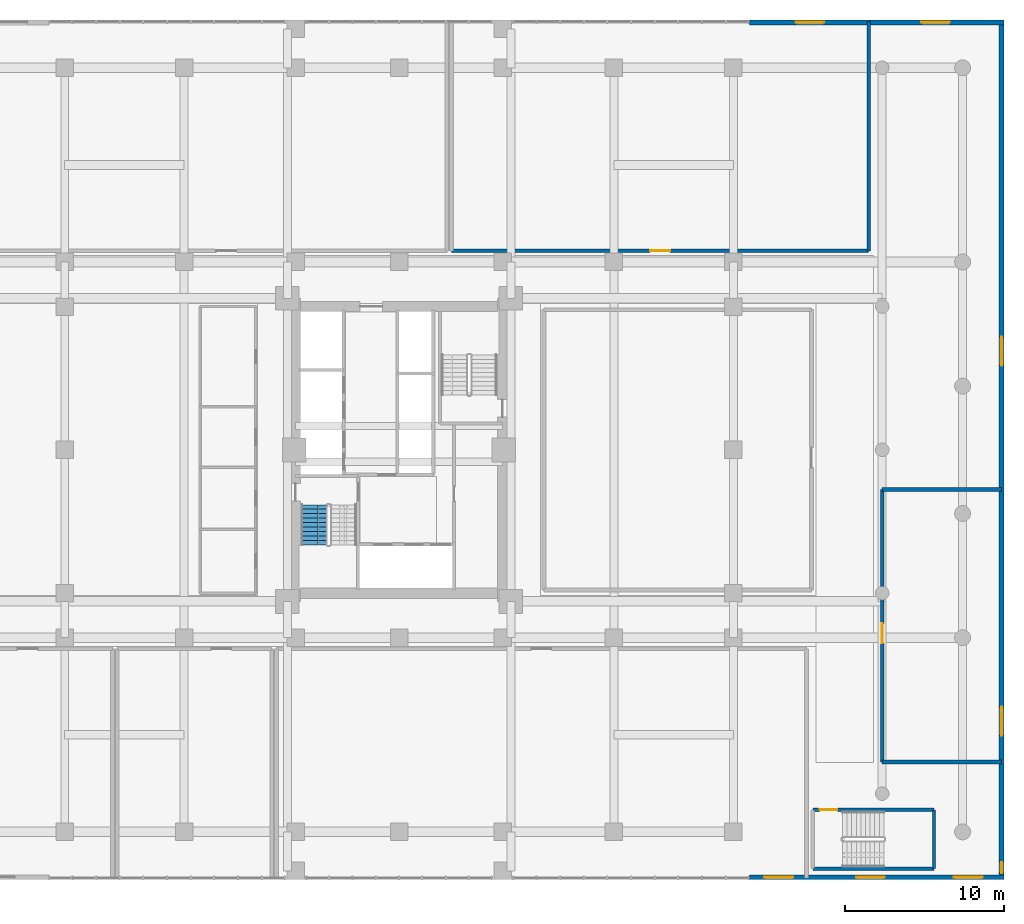
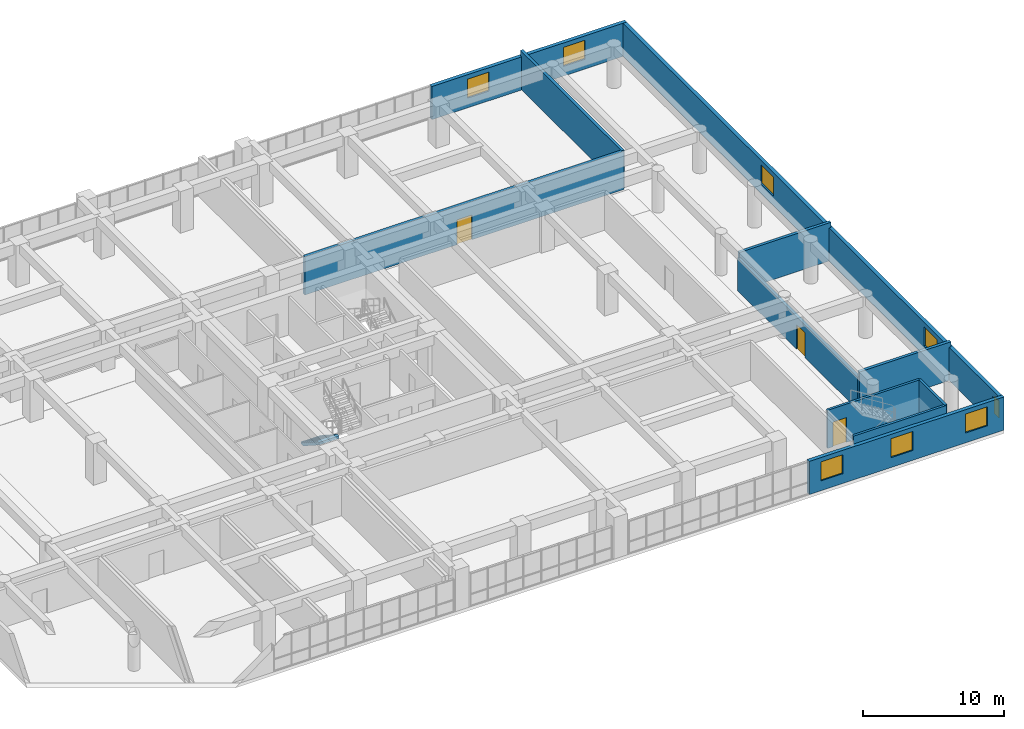
# One storey, part 21 of 30: 11 walls, 8 windows, 3 doors, 1 stair flight, 11 openings, 1 element without a shape of its own.
"""IFC4 building model written with IfcOpenShell, lengths in metres."""

from ifc_helpers import new_model, si_unit, direction, frame, frame_2d, origin, place, context, subcontext, project, spatial, polyline, rectangle, outline, extrude, source, transform, mapped, material, layer, layer_set, type_object, element, fill, aggregate, save


model = new_model("IFC4")

# Units and contexts
model_context = context("Model", 3, precision=1e-05, world=origin(), true_north=direction((0.0, 1.0)))
body_context = subcontext(model_context, "Body", "Model", "MODEL_VIEW")
ifc_project = project(units=[si_unit("LENGTHUNIT", "METRE"), si_unit("AREAUNIT", "SQUARE_METRE"), si_unit("VOLUMEUNIT", "CUBIC_METRE"), si_unit("PLANEANGLEUNIT", "RADIAN"), si_unit("MASSUNIT", "GRAM", prefix="KILO")], contexts=[model_context])

# Site, building, storey
site_placement = place(None, origin())
site = spatial("IfcSite", under=ifc_project, at=site_placement, CompositionType="ELEMENT")
building_placement = place(site_placement, origin())
building = spatial("IfcBuilding", under=site, at=building_placement, Name="Saelheon Loggia Tower", CompositionType="ELEMENT")
storey_placement = place(building_placement, frame((0.0, 0.0, 7.800048828125)))
storey = spatial("IfcBuildingStorey", under=building, at=storey_placement, Name="L02", CompositionType="ELEMENT", Elevation=7.800048828125)

# Wall, opening, door
ifc_material_1 = material(Name="Shielded High-Density Gypsum Partition", Category="gypsum")
ifc_layer_1 = layer(ifc_material_1, 0.239990234375)
ifc_layer_set_1 = layer_set([ifc_layer_1], Name="Shielded High-Density Gypsum Partition")
wall_type_1 = type_object("IfcWallType", Name="Wall_ClinicLead_240", PredefinedType="PARTITIONING", material=ifc_layer_set_1)
wall_1_placement = place(storey_placement, frame((41.300048828125, 39.5, 0.0), z_axis=(0.0, 0.0, 1.0), x_axis=(1.0, 0.0, 0.0)))
wall_1 = element("IfcWall", 1, at=wall_1_placement, inside=storey, type_object=wall_type_1, Name="PW-L02-SPEC2-S", PredefinedType="PARTITIONING", context=body_context, shape_type="SweptSolid", body=[
    extrude(rectangle(XDim=26.199951171875, YDim=0.239990234375, at=frame_2d((13.10009765625, 0.0))), origin(), (0.0, 0.0, 1.0), 3.320068359375),
])
opening_1_placement = place(wall_1_placement, frame((12.47509765625, 0.0, 0.0)))
opening_1 = element("IfcOpeningElement", 2, at=opening_1_placement, cuts=wall_1, Name="Opening D-CL1", PredefinedType="OPENING", context=body_context, shape_type="SweptSolid", body=[
    extrude(rectangle(XDim=1.25, YDim=2.14990234375, at=frame_2d((0.625, 1.074951171875))), frame((0.0, 0.132080078125, 0.0), z_axis=(0.0, -1.0, 0.0), x_axis=(1.0, 0.0, 0.0)), (0.0, 0.0, 1.0), 0.263916015625),
])
ifc_material_2 = material(Name="Antimicrobial Hospital Laminate Door", Category="timber")
door_type_1 = type_object("IfcDoorType", Name="Door_Clinic_1250", OperationType="NOTDEFINED", PredefinedType="DOOR", material=ifc_material_2)
shared_shape_1 = source(origin(), body_context, "Body", "SweptSolid", [
    extrude(rectangle(XDim=1.25, YDim=2.14990234375, at=frame_2d((0.625, 1.074951171875))), frame((0.0, 0.02490234375, 0.0), z_axis=(0.0, -1.0, 0.0), x_axis=(1.0, 0.0, 0.0)), (0.0, 0.0, 1.0), 0.050048828125),
])
door_1_placement = place(opening_1_placement, origin())
door_1 = element("IfcDoor", 3, at=door_1_placement, inside=storey, type_object=door_type_1, Name="L02 Phlebotomy Waiting Hall Door", OperationType="SINGLE_SWING_RIGHT", OverallHeight=2.14990234375, OverallWidth=1.25, PredefinedType="DOOR", context=body_context, shape_type="MappedRepresentation", body=[
    mapped(shared_shape_1, transform((0.0, 0.0, 0.0), scale=1.0)),
])
fill(opening_1, door_1)

# Walls
wall_2_placement = place(storey_placement, frame((67.5, 39.5, 0.0), z_axis=(0.0, 0.0, 1.0), x_axis=(0.0, 1.0, 0.0)))
element("IfcWall", 4, at=wall_2_placement, inside=storey, type_object=wall_type_1, Name="PW-L02-SPEC2-E", PredefinedType="PARTITIONING", context=body_context, shape_type="SweptSolid", body=[
    extrude(rectangle(XDim=14.39990234375, YDim=0.239990234375, at=frame_2d((7.199951171875, 0.0))), origin(), (0.0, 0.0, 1.0), 3.320068359375),
])
for number, where, z_axis, x_axis, name in (
    (5, (68.35009765625, 7.39990234375, 0.0), (0.0, 0.0, 1.0), (1.0, 0.0, 0.0), "PW-L02-PATH-S"),
    (6, (68.35009765625, 24.5, 0.0), (0.0, 0.0, 1.0), (1.0, 0.0, 0.0), "PW-L02-PATH-N"),
):
    element("IfcWall", number, at=place(storey_placement, frame(where, z_axis=z_axis, x_axis=x_axis)), inside=storey, type_object=wall_type_1, Name=name, PredefinedType="PARTITIONING", context=body_context, shape_type="SweptSolid", body=[
        extrude(rectangle(XDim=7.5, YDim=0.239990234375, at=frame_2d((3.75, 0.0))), origin(), (0.0, 0.0, 1.0), 3.320068359375),
    ])

# Wall, opening, door
wall_3_placement = place(storey_placement, frame((68.35009765625, 7.39990234375, 0.0), z_axis=(0.0, 0.0, 1.0), x_axis=(0.0, 1.0, 0.0)))
wall_3 = element("IfcWall", 7, at=wall_3_placement, inside=storey, type_object=wall_type_1, Name="PW-L02-PATH-W", PredefinedType="PARTITIONING", context=body_context, shape_type="SweptSolid", body=[
    extrude(rectangle(XDim=17.10009765625, YDim=0.239990234375, at=frame_2d((8.550048828125, 0.0))), origin(), (0.0, 0.0, 1.0), 2.83984375),
])
opening_2_placement = place(wall_3_placement, frame((7.45166015625, 0.0, 0.0)))
opening_2 = element("IfcOpeningElement", 8, at=opening_2_placement, cuts=wall_3, Name="Opening D-CL1", PredefinedType="OPENING", context=body_context, shape_type="SweptSolid", body=[
    extrude(rectangle(XDim=1.25, YDim=2.14990234375, at=frame_2d((0.625, 1.074951171875))), frame((0.0, 0.132080078125, 0.0), z_axis=(0.0, -1.0, 0.0), x_axis=(1.0, 0.0, 0.0)), (0.0, 0.0, 1.0), 0.263916015625),
])
door_2_placement = place(opening_2_placement, origin())
door_2 = element("IfcDoor", 9, at=door_2_placement, inside=storey, type_object=door_type_1, Name="L02 Pathology Laboratory Door", OperationType="SINGLE_SWING_LEFT", OverallHeight=2.14990234375, OverallWidth=1.25, PredefinedType="DOOR", context=body_context, shape_type="MappedRepresentation", body=[
    mapped(shared_shape_1, transform((0.0, 0.0, 0.0), scale=1.0)),
])
fill(opening_2, door_2)

# Wall, openings, windows
ifc_material_3 = material(Name="Architectural Precast Concrete C40/50", Category="concrete")
ifc_layer_2 = layer(ifc_material_3, 0.300048828125)
ifc_layer_set_2 = layer_set([ifc_layer_2], Name="Architectural Precast Concrete C40/50")
wall_type_2 = type_object("IfcWallType", Name="Wall_Ext_Podium_300", PredefinedType="SOLIDWALL", material=ifc_layer_set_2)
wall_4_placement = place(storey_placement, frame((60.0, 0.14990234375, 0.0), z_axis=(0.0, 0.0, 1.0), x_axis=(1.0, 0.0, 0.0)))
wall_4 = element("IfcWall", 10, at=wall_4_placement, inside=storey, type_object=wall_type_2, Name="L02 South-East Precast Wall", PredefinedType="SOLIDWALL", context=body_context, shape_type="SweptSolid", body=[
    extrude(rectangle(XDim=16.0, YDim=0.300048828125, at=frame_2d((8.0, 0.0))), origin(), (0.0, 0.0, 1.0), 2.8798828125),
])
opening_3_placement = place(wall_4_placement, frame((0.955078125, 0.0, 0.85009765625)))
opening_3 = element("IfcOpeningElement", 11, at=opening_3_placement, cuts=wall_4, Name="Opening WN-01", PredefinedType="OPENING", context=body_context, shape_type="SweptSolid", body=[
    extrude(rectangle(XDim=1.800048828125, YDim=1.64990234375, at=frame_2d((0.89990234375, 0.824951171875))), frame((0.0, 0.162109375, 0.0), z_axis=(0.0, -1.0, 0.0), x_axis=(1.0, 0.0, 0.0)), (0.0, 0.0, 1.0), 0.323974609375),
])
opening_4_placement = place(wall_4_placement, frame((6.705078125, 0.0, 0.85009765625)))
opening_4 = element("IfcOpeningElement", 12, at=opening_4_placement, cuts=wall_4, Name="Opening WN-01", PredefinedType="OPENING", context=body_context, shape_type="SweptSolid", body=[
    extrude(rectangle(XDim=1.800048828125, YDim=1.64990234375, at=frame_2d((0.89990234375, 0.824951171875))), frame((0.0, 0.162109375, 0.0), z_axis=(0.0, -1.0, 0.0), x_axis=(1.0, 0.0, 0.0)), (0.0, 0.0, 1.0), 0.323974609375),
])
opening_5_placement = place(wall_4_placement, frame((12.85009765625, 0.0, 0.85009765625)))
opening_5 = element("IfcOpeningElement", 13, at=opening_5_placement, cuts=wall_4, Name="Opening WN-01", PredefinedType="OPENING", context=body_context, shape_type="SweptSolid", body=[
    extrude(rectangle(XDim=1.800048828125, YDim=1.64990234375, at=frame_2d((0.89990234375, 0.824951171875))), frame((0.0, 0.162109375, 0.0), z_axis=(0.0, -1.0, 0.0), x_axis=(1.0, 0.0, 0.0)), (0.0, 0.0, 1.0), 0.323974609375),
])
ifc_material_4 = material(Name="Thermal-Break Aluminium and Triple Low-E Glass", Category="aluminium")
window_type_1 = type_object("IfcWindowType", Name="Win_Dwelling_1800x1650", PartitioningType="SINGLE_PANEL", PredefinedType="WINDOW", material=ifc_material_4)
shared_shape_2 = source(origin(), body_context, "Body", "SweptSolid", [
    extrude(rectangle(XDim=1.800048828125, YDim=1.64990234375, at=frame_2d((0.89990234375, 0.824951171875))), frame((0.0, 0.030029296875, 0.0), z_axis=(0.0, -1.0, 0.0), x_axis=(1.0, 0.0, 0.0)), (0.0, 0.0, 1.0), 0.06005859375),
])
window_1_placement = place(opening_3_placement, origin())
window_1 = element("IfcWindow", 14, at=window_1_placement, inside=storey, type_object=window_type_1, Name="L02 SE Dwelling Window 1", OverallHeight=1.64990234375, OverallWidth=1.800048828125, PartitioningType="SINGLE_PANEL", PredefinedType="WINDOW", context=body_context, shape_type="MappedRepresentation", body=[
    mapped(shared_shape_2, transform((0.0, 0.0, 0.0), scale=1.0)),
])
fill(opening_3, window_1)
window_2_placement = place(opening_4_placement, origin())
window_2 = element("IfcWindow", 15, at=window_2_placement, inside=storey, type_object=window_type_1, Name="L02 SE Dwelling Window 2", OverallHeight=1.64990234375, OverallWidth=1.800048828125, PartitioningType="SINGLE_PANEL", PredefinedType="WINDOW", context=body_context, shape_type="MappedRepresentation", body=[
    mapped(shared_shape_2, transform((0.0, 0.0, 0.0), scale=1.0)),
])
fill(opening_4, window_2)
window_3_placement = place(opening_5_placement, origin())
window_3 = element("IfcWindow", 16, at=window_3_placement, inside=storey, type_object=window_type_1, Name="L02 SE Dwelling Window 3", OverallHeight=1.64990234375, OverallWidth=1.800048828125, PartitioningType="SINGLE_PANEL", PredefinedType="WINDOW", context=body_context, shape_type="MappedRepresentation", body=[
    mapped(shared_shape_2, transform((0.0, 0.0, 0.0), scale=1.0)),
])
fill(opening_5, window_3)

wall_5_placement = place(storey_placement, frame((60.0, 53.85009765625, 0.0), z_axis=(0.0, 0.0, 1.0), x_axis=(1.0, 0.0, 0.0)))
wall_5 = element("IfcWall", 17, at=wall_5_placement, inside=storey, type_object=wall_type_2, Name="L02 North-East Precast Wall", PredefinedType="SOLIDWALL", context=body_context, shape_type="SweptSolid", body=[
    extrude(rectangle(XDim=16.0, YDim=0.300048828125, at=frame_2d((8.0, 0.0))), origin(), (0.0, 0.0, 1.0), 2.8798828125),
])
opening_6_placement = place(wall_5_placement, frame((2.905029296875, 0.0, 0.85009765625)))
opening_6 = element("IfcOpeningElement", 18, at=opening_6_placement, cuts=wall_5, Name="Opening WN-01", PredefinedType="OPENING", context=body_context, shape_type="SweptSolid", body=[
    extrude(rectangle(XDim=1.800048828125, YDim=1.64990234375, at=frame_2d((0.89990234375, 0.824951171875))), frame((0.0, 0.162109375, 0.0), z_axis=(0.0, -1.0, 0.0), x_axis=(1.0, 0.0, 0.0)), (0.0, 0.0, 1.0), 0.323974609375),
])
opening_7_placement = place(wall_5_placement, frame((10.794921875, 0.0, 0.85009765625)))
opening_7 = element("IfcOpeningElement", 19, at=opening_7_placement, cuts=wall_5, Name="Opening WN-01", PredefinedType="OPENING", context=body_context, shape_type="SweptSolid", body=[
    extrude(rectangle(XDim=1.800048828125, YDim=1.64990234375, at=frame_2d((0.89990234375, 0.824951171875))), frame((0.0, 0.162109375, 0.0), z_axis=(0.0, -1.0, 0.0), x_axis=(1.0, 0.0, 0.0)), (0.0, 0.0, 1.0), 0.323974609375),
])
window_4_placement = place(opening_6_placement, origin())
window_4 = element("IfcWindow", 20, at=window_4_placement, inside=storey, type_object=window_type_1, Name="L02 NE Dwelling Window 1", OverallHeight=1.64990234375, OverallWidth=1.800048828125, PartitioningType="SINGLE_PANEL", PredefinedType="WINDOW", context=body_context, shape_type="MappedRepresentation", body=[
    mapped(shared_shape_2, transform((0.0, 0.0, 0.0), scale=1.0)),
])
fill(opening_6, window_4)
window_5_placement = place(opening_7_placement, origin())
window_5 = element("IfcWindow", 21, at=window_5_placement, inside=storey, type_object=window_type_1, Name="L02 NE Dwelling Window 2", OverallHeight=1.64990234375, OverallWidth=1.800048828125, PartitioningType="SINGLE_PANEL", PredefinedType="WINDOW", context=body_context, shape_type="MappedRepresentation", body=[
    mapped(shared_shape_2, transform((0.0, 0.0, 0.0), scale=1.0)),
])
fill(opening_7, window_5)

wall_6_placement = place(storey_placement, frame((75.85009765625, 0.0, 0.0), z_axis=(0.0, 0.0, 1.0), x_axis=(0.0, 1.0, 0.0)))
wall_6 = element("IfcWall", 22, at=wall_6_placement, inside=storey, type_object=wall_type_2, Name="L02 East Precast Wall", PredefinedType="SOLIDWALL", context=body_context, shape_type="SweptSolid", body=[
    extrude(rectangle(XDim=54.0, YDim=0.300048828125, at=frame_2d((27.0, 0.0))), origin(), (0.0, 0.0, 1.0), 2.8798828125),
])
opening_8_placement = place(wall_6_placement, frame((0.405029296875, 0.0, 0.85009765625)))
opening_8 = element("IfcOpeningElement", 23, at=opening_8_placement, cuts=wall_6, Name="Opening WN-06", PredefinedType="OPENING", context=body_context, shape_type="SweptSolid", body=[
    extrude(rectangle(XDim=0.699951171875, YDim=1.5, at=frame_2d((0.35009765625, 0.75))), frame((0.0, 0.162109375, 0.0), z_axis=(0.0, -1.0, 0.0), x_axis=(1.0, 0.0, 0.0)), (0.0, 0.0, 1.0), 0.323974609375),
])
opening_9_placement = place(wall_6_placement, frame((9.050048828125, 0.0, 0.85009765625)))
opening_9 = element("IfcOpeningElement", 24, at=opening_9_placement, cuts=wall_6, Name="Opening WN-01", PredefinedType="OPENING", context=body_context, shape_type="SweptSolid", body=[
    extrude(rectangle(XDim=1.800048828125, YDim=1.64990234375, at=frame_2d((0.89990234375, 0.824951171875))), frame((0.0, 0.162109375, 0.0), z_axis=(0.0, -1.0, 0.0), x_axis=(1.0, 0.0, 0.0)), (0.0, 0.0, 1.0), 0.323974609375),
])
opening_10_placement = place(wall_6_placement, frame((32.294921875, 0.0, 0.85009765625)))
opening_10 = element("IfcOpeningElement", 25, at=opening_10_placement, cuts=wall_6, Name="Opening WN-01", PredefinedType="OPENING", context=body_context, shape_type="SweptSolid", body=[
    extrude(rectangle(XDim=1.800048828125, YDim=1.64990234375, at=frame_2d((0.89990234375, 0.824951171875))), frame((0.0, 0.162109375, 0.0), z_axis=(0.0, -1.0, 0.0), x_axis=(1.0, 0.0, 0.0)), (0.0, 0.0, 1.0), 0.323974609375),
])
window_6_placement = place(opening_9_placement, origin())
window_6 = element("IfcWindow", 26, at=window_6_placement, inside=storey, type_object=window_type_1, Name="L02 E Dwelling Window 2", OverallHeight=1.64990234375, OverallWidth=1.800048828125, PartitioningType="SINGLE_PANEL", PredefinedType="WINDOW", context=body_context, shape_type="MappedRepresentation", body=[
    mapped(shared_shape_2, transform((0.0, 0.0, 0.0), scale=1.0)),
])
fill(opening_9, window_6)
window_7_placement = place(opening_10_placement, origin())
window_7 = element("IfcWindow", 27, at=window_7_placement, inside=storey, type_object=window_type_1, Name="L02 E Dwelling Window 3", OverallHeight=1.64990234375, OverallWidth=1.800048828125, PartitioningType="SINGLE_PANEL", PredefinedType="WINDOW", context=body_context, shape_type="MappedRepresentation", body=[
    mapped(shared_shape_2, transform((0.0, 0.0, 0.0), scale=1.0)),
])
fill(opening_10, window_7)
window_type_2 = type_object("IfcWindowType", Name="Win_Slot_700x1500", PartitioningType="SINGLE_PANEL", PredefinedType="WINDOW", material=ifc_material_4)
shared_shape_3 = source(origin(), body_context, "Body", "SweptSolid", [
    extrude(rectangle(XDim=0.699951171875, YDim=1.5, at=frame_2d((0.35009765625, 0.75))), frame((0.0, 0.030029296875, 0.0), z_axis=(0.0, -1.0, 0.0), x_axis=(1.0, 0.0, 0.0)), (0.0, 0.0, 1.0), 0.06005859375),
])
window_8_placement = place(opening_8_placement, origin())
window_8 = element("IfcWindow", 28, at=window_8_placement, inside=storey, type_object=window_type_2, Name="L02 E Dwelling Window 1", OverallHeight=1.5, OverallWidth=0.699951171875, PartitioningType="SINGLE_PANEL", PredefinedType="WINDOW", context=body_context, shape_type="MappedRepresentation", body=[
    mapped(shared_shape_3, transform((0.0, 0.0, 0.0), scale=1.0)),
])
fill(opening_8, window_8)

# Wall
ifc_material_5 = material(Name="Concrete C45/55", Category="concrete")
ifc_layer_3 = layer(ifc_material_5, 0.199951171875)
ifc_layer_set_3 = layer_set([ifc_layer_3], Name="Concrete C45/55")
wall_type_3 = type_object("IfcWallType", Name="Wall_StairShaft_RC200", PredefinedType="SOLIDWALL", material=ifc_layer_set_3)
wall_7_placement = place(storey_placement, frame((63.989990234375, 0.68994140625, 0.0), z_axis=(0.0, 0.0, 1.0), x_axis=(1.0, 0.0, 0.0)))
element("IfcWall", 29, at=wall_7_placement, inside=storey, type_object=wall_type_3, Name="L02 ST4 Shaft South Wall", PredefinedType="SOLIDWALL", context=body_context, shape_type="SweptSolid", body=[
    extrude(rectangle(XDim=7.6201171875, YDim=0.199951171875, at=frame_2d((3.81005859375, 0.0))), origin(), (0.0, 0.0, 1.0), 3.320068359375),
])

# Wall, opening, door
wall_8_placement = place(storey_placement, frame((63.989990234375, 4.389892578125, 0.0), z_axis=(0.0, 0.0, 1.0), x_axis=(1.0, 0.0, 0.0)))
wall_8 = element("IfcWall", 30, at=wall_8_placement, inside=storey, type_object=wall_type_3, Name="L02 ST4 Shaft North Wall", PredefinedType="SOLIDWALL", context=body_context, shape_type="SweptSolid", body=[
    extrude(rectangle(XDim=7.6201171875, YDim=0.199951171875, at=frame_2d((3.81005859375, 0.0))), origin(), (0.0, 0.0, 1.0), 3.320068359375),
])
opening_11_placement = place(wall_8_placement, frame((0.449951171875, 0.0, 0.0)))
opening_11 = element("IfcOpeningElement", 31, at=opening_11_placement, cuts=wall_8, Name="Opening D-FD2", PredefinedType="OPENING", context=body_context, shape_type="SweptSolid", body=[
    extrude(rectangle(XDim=1.10009765625, YDim=2.14990234375, at=frame_2d((0.550048828125, 1.074951171875))), frame((0.0, 0.112060546875, 0.0), z_axis=(0.0, -1.0, 0.0), x_axis=(1.0, 0.0, 0.0)), (0.0, 0.0, 1.0), 0.223876953125),
])
ifc_material_6 = material(Name="Galvanised Steel Fire Door", Category="steel")
door_type_2 = type_object("IfcDoorType", Name="Door_Fire_FD60_1100", OperationType="NOTDEFINED", PredefinedType="DOOR", material=ifc_material_6)
shared_shape_4 = source(origin(), body_context, "Body", "SweptSolid", [
    extrude(rectangle(XDim=1.10009765625, YDim=2.14990234375, at=frame_2d((0.550048828125, 1.074951171875))), frame((0.0, 0.02490234375, 0.0), z_axis=(0.0, -1.0, 0.0), x_axis=(1.0, 0.0, 0.0)), (0.0, 0.0, 1.0), 0.050048828125),
])
door_3_placement = place(opening_11_placement, origin())
door_3 = element("IfcDoor", 32, at=door_3_placement, inside=storey, type_object=door_type_2, Name="L02 Escape Stair ST4 Door", OperationType="SINGLE_SWING_RIGHT", OverallHeight=2.14990234375, OverallWidth=1.10009765625, PredefinedType="DOOR", context=body_context, shape_type="MappedRepresentation", body=[
    mapped(shared_shape_4, transform((0.0, 0.0, 0.0), scale=1.0)),
])
fill(opening_11, door_3)

# Wall
wall_9_placement = place(storey_placement, frame((71.610107421875, 0.68994140625, 0.0), z_axis=(0.0, 0.0, 1.0), x_axis=(0.0, 1.0, 0.0)))
element("IfcWall", 33, at=wall_9_placement, inside=storey, type_object=wall_type_3, Name="L02 ST4 Shaft East Wall", PredefinedType="SOLIDWALL", context=body_context, shape_type="SweptSolid", body=[
    extrude(rectangle(XDim=3.699951171875, YDim=0.199951171875, at=frame_2d((1.85009765625, 0.0))), origin(), (0.0, 0.0, 1.0), 3.320068359375),
])

# Stair, stair flight
ifc_material_7 = material(Name="Concrete C40/50", Category="concrete")
stair_type = type_object("IfcStairType", Name="Stair_Escape_Core", PredefinedType="HALF_TURN_STAIR", material=ifc_material_7)
stair_placement = place(storey_placement, origin())
stair = element("IfcStair", 34, at=stair_placement, inside=storey, type_object=stair_type, Name="L02 Special Escape Stair ST1", PredefinedType="HALF_TURN_STAIR")
stair_flight_type = type_object("IfcStairFlightType", Name="StairFlight_Tower_1660", PredefinedType="STRAIGHT", material=ifc_material_7)
stair_flight_placement = place(storey_placement, frame((32.679931640625, 23.550048828125, 0.0), z_axis=(0.0, 0.0, 1.0), x_axis=(0.0, -1.0, 0.0)))
stair_flight = element("IfcStairFlight", 35, at=stair_flight_placement, type_object=stair_flight_type, Name="ST1 flight 1", NumberOfRisers=10, NumberOfTreads=9, PredefinedType="STRAIGHT", RiserHeight=0.18, TreadLength=0.28, context=body_context, shape_type="SweptSolid", body=[
    extrude(outline(polyline([(0.0, 0.0), (0.0, 0.179931640625), (0.280029296875, 0.179931640625), (0.280029296875, 0.360107421875), (0.56005859375, 0.360107421875), (0.56005859375, 0.5400390625), (0.840087890625, 0.5400390625), (0.840087890625, 0.719970703125), (1.1201171875, 0.719970703125), (1.1201171875, 0.89990234375), (1.39990234375, 0.89990234375), (1.39990234375, 1.080078125), (1.679931640625, 1.080078125), (1.679931640625, 1.260009765625), (1.9599609375, 1.260009765625), (1.9599609375, 1.43994140625), (2.239990234375, 1.43994140625), (2.239990234375, 1.6201171875), (2.52001953125, 1.6201171875), (2.52001953125, 1.800048828125), (2.52001953125, 1.406005859375), (0.332763671875, 0.0), (0.0, 0.0)])), frame((0.0, -0.2490234375, 0.0), z_axis=(0.0, -1.0, 0.0), x_axis=(1.0, 0.0, 0.0)), (0.0, 0.0, 1.0), 0.5810546875),
    extrude(outline(polyline([(0.0, 0.0), (0.0, 0.179931640625), (0.280029296875, 0.179931640625), (0.280029296875, 0.360107421875), (0.56005859375, 0.360107421875), (0.56005859375, 0.5400390625), (0.840087890625, 0.5400390625), (0.840087890625, 0.719970703125), (1.1201171875, 0.719970703125), (1.1201171875, 0.89990234375), (1.39990234375, 0.89990234375), (1.39990234375, 1.080078125), (1.679931640625, 1.080078125), (1.679931640625, 1.260009765625), (1.9599609375, 1.260009765625), (1.9599609375, 1.43994140625), (2.239990234375, 1.43994140625), (2.239990234375, 1.6201171875), (2.52001953125, 1.6201171875), (2.52001953125, 1.800048828125), (2.52001953125, 1.406005859375), (0.332763671875, 0.0), (0.0, 0.0)])), frame((0.0, -0.194091796875, 0.0), z_axis=(0.0, -1.0, 0.0), x_axis=(1.0, 0.0, 0.0)), (0.0, 0.0, 1.0), 0.0498046875),
    extrude(outline(polyline([(0.0, 0.0), (0.0, 0.179931640625), (0.280029296875, 0.179931640625), (0.280029296875, 0.360107421875), (0.56005859375, 0.360107421875), (0.56005859375, 0.5400390625), (0.840087890625, 0.5400390625), (0.840087890625, 0.719970703125), (1.1201171875, 0.719970703125), (1.1201171875, 0.89990234375), (1.39990234375, 0.89990234375), (1.39990234375, 1.080078125), (1.679931640625, 1.080078125), (1.679931640625, 1.260009765625), (1.9599609375, 1.260009765625), (1.9599609375, 1.43994140625), (2.239990234375, 1.43994140625), (2.239990234375, 1.6201171875), (2.52001953125, 1.6201171875), (2.52001953125, 1.800048828125), (2.52001953125, 1.406005859375), (0.332763671875, 0.0), (0.0, 0.0)])), frame((0.0, -0.139404296875, 0.0), z_axis=(0.0, -1.0, 0.0), x_axis=(1.0, 0.0, 0.0)), (0.0, 0.0, 1.0), 0.0498046875),
    extrude(outline(polyline([(0.0, 0.0), (0.0, 0.179931640625), (0.280029296875, 0.179931640625), (0.280029296875, 0.360107421875), (0.56005859375, 0.360107421875), (0.56005859375, 0.5400390625), (0.840087890625, 0.5400390625), (0.840087890625, 0.719970703125), (1.1201171875, 0.719970703125), (1.1201171875, 0.89990234375), (1.39990234375, 0.89990234375), (1.39990234375, 1.080078125), (1.679931640625, 1.080078125), (1.679931640625, 1.260009765625), (1.9599609375, 1.260009765625), (1.9599609375, 1.43994140625), (2.239990234375, 1.43994140625), (2.239990234375, 1.6201171875), (2.52001953125, 1.6201171875), (2.52001953125, 1.800048828125), (2.52001953125, 1.406005859375), (0.332763671875, 0.0), (0.0, 0.0)])), frame((0.0, -0.084716796875, 0.0), z_axis=(0.0, -1.0, 0.0), x_axis=(1.0, 0.0, 0.0)), (0.0, 0.0, 1.0), 0.0498046875),
    extrude(outline(polyline([(0.0, 0.0), (0.0, 0.179931640625), (0.280029296875, 0.179931640625), (0.280029296875, 0.360107421875), (0.56005859375, 0.360107421875), (0.56005859375, 0.5400390625), (0.840087890625, 0.5400390625), (0.840087890625, 0.719970703125), (1.1201171875, 0.719970703125), (1.1201171875, 0.89990234375), (1.39990234375, 0.89990234375), (1.39990234375, 1.080078125), (1.679931640625, 1.080078125), (1.679931640625, 1.260009765625), (1.9599609375, 1.260009765625), (1.9599609375, 1.43994140625), (2.239990234375, 1.43994140625), (2.239990234375, 1.6201171875), (2.52001953125, 1.6201171875), (2.52001953125, 1.800048828125), (2.52001953125, 1.406005859375), (0.332763671875, 0.0), (0.0, 0.0)])), frame((0.0, -0.02978515625, 0.0), z_axis=(0.0, -1.0, 0.0), x_axis=(1.0, 0.0, 0.0)), (0.0, 0.0, 1.0), 0.0498046875),
    extrude(outline(polyline([(0.0, 0.0), (0.0, 0.179931640625), (0.280029296875, 0.179931640625), (0.280029296875, 0.360107421875), (0.56005859375, 0.360107421875), (0.56005859375, 0.5400390625), (0.840087890625, 0.5400390625), (0.840087890625, 0.719970703125), (1.1201171875, 0.719970703125), (1.1201171875, 0.89990234375), (1.39990234375, 0.89990234375), (1.39990234375, 1.080078125), (1.679931640625, 1.080078125), (1.679931640625, 1.260009765625), (1.9599609375, 1.260009765625), (1.9599609375, 1.43994140625), (2.239990234375, 1.43994140625), (2.239990234375, 1.6201171875), (2.52001953125, 1.6201171875), (2.52001953125, 1.800048828125), (2.52001953125, 1.406005859375), (0.332763671875, 0.0), (0.0, 0.0)])), frame((0.0, 0.02490234375, 0.0), z_axis=(0.0, -1.0, 0.0), x_axis=(1.0, 0.0, 0.0)), (0.0, 0.0, 1.0), 0.0498046875),
    extrude(outline(polyline([(0.0, 0.0), (0.0, 0.179931640625), (0.280029296875, 0.179931640625), (0.280029296875, 0.360107421875), (0.56005859375, 0.360107421875), (0.56005859375, 0.5400390625), (0.840087890625, 0.5400390625), (0.840087890625, 0.719970703125), (1.1201171875, 0.719970703125), (1.1201171875, 0.89990234375), (1.39990234375, 0.89990234375), (1.39990234375, 1.080078125), (1.679931640625, 1.080078125), (1.679931640625, 1.260009765625), (1.9599609375, 1.260009765625), (1.9599609375, 1.43994140625), (2.239990234375, 1.43994140625), (2.239990234375, 1.6201171875), (2.52001953125, 1.6201171875), (2.52001953125, 1.800048828125), (2.52001953125, 1.406005859375), (0.332763671875, 0.0), (0.0, 0.0)])), frame((0.0, 0.07958984375, 0.0), z_axis=(0.0, -1.0, 0.0), x_axis=(1.0, 0.0, 0.0)), (0.0, 0.0, 1.0), 0.0498046875),
    extrude(outline(polyline([(0.0, 0.0), (0.0, 0.179931640625), (0.280029296875, 0.179931640625), (0.280029296875, 0.360107421875), (0.56005859375, 0.360107421875), (0.56005859375, 0.5400390625), (0.840087890625, 0.5400390625), (0.840087890625, 0.719970703125), (1.1201171875, 0.719970703125), (1.1201171875, 0.89990234375), (1.39990234375, 0.89990234375), (1.39990234375, 1.080078125), (1.679931640625, 1.080078125), (1.679931640625, 1.260009765625), (1.9599609375, 1.260009765625), (1.9599609375, 1.43994140625), (2.239990234375, 1.43994140625), (2.239990234375, 1.6201171875), (2.52001953125, 1.6201171875), (2.52001953125, 1.800048828125), (2.52001953125, 1.406005859375), (0.332763671875, 0.0), (0.0, 0.0)])), frame((0.0, 0.134521484375, 0.0), z_axis=(0.0, -1.0, 0.0), x_axis=(1.0, 0.0, 0.0)), (0.0, 0.0, 1.0), 0.0498046875),
    extrude(outline(polyline([(0.0, 0.0), (0.0, 0.179931640625), (0.280029296875, 0.179931640625), (0.280029296875, 0.360107421875), (0.56005859375, 0.360107421875), (0.56005859375, 0.5400390625), (0.840087890625, 0.5400390625), (0.840087890625, 0.719970703125), (1.1201171875, 0.719970703125), (1.1201171875, 0.89990234375), (1.39990234375, 0.89990234375), (1.39990234375, 1.080078125), (1.679931640625, 1.080078125), (1.679931640625, 1.260009765625), (1.9599609375, 1.260009765625), (1.9599609375, 1.43994140625), (2.239990234375, 1.43994140625), (2.239990234375, 1.6201171875), (2.52001953125, 1.6201171875), (2.52001953125, 1.800048828125), (2.52001953125, 1.406005859375), (0.332763671875, 0.0), (0.0, 0.0)])), frame((0.0, 0.189208984375, 0.0), z_axis=(0.0, -1.0, 0.0), x_axis=(1.0, 0.0, 0.0)), (0.0, 0.0, 1.0), 0.0498046875),
    extrude(outline(polyline([(0.0, 0.0), (0.0, 0.179931640625), (0.280029296875, 0.179931640625), (0.280029296875, 0.360107421875), (0.56005859375, 0.360107421875), (0.56005859375, 0.5400390625), (0.840087890625, 0.5400390625), (0.840087890625, 0.719970703125), (1.1201171875, 0.719970703125), (1.1201171875, 0.89990234375), (1.39990234375, 0.89990234375), (1.39990234375, 1.080078125), (1.679931640625, 1.080078125), (1.679931640625, 1.260009765625), (1.9599609375, 1.260009765625), (1.9599609375, 1.43994140625), (2.239990234375, 1.43994140625), (2.239990234375, 1.6201171875), (2.52001953125, 1.6201171875), (2.52001953125, 1.800048828125), (2.52001953125, 1.406005859375), (0.332763671875, 0.0), (0.0, 0.0)])), frame((0.0, 0.243896484375, 0.0), z_axis=(0.0, -1.0, 0.0), x_axis=(1.0, 0.0, 0.0)), (0.0, 0.0, 1.0), 0.0498046875),
    extrude(outline(polyline([(0.0, 0.0), (0.0, 0.179931640625), (0.280029296875, 0.179931640625), (0.280029296875, 0.360107421875), (0.56005859375, 0.360107421875), (0.56005859375, 0.5400390625), (0.840087890625, 0.5400390625), (0.840087890625, 0.719970703125), (1.1201171875, 0.719970703125), (1.1201171875, 0.89990234375), (1.39990234375, 0.89990234375), (1.39990234375, 1.080078125), (1.679931640625, 1.080078125), (1.679931640625, 1.260009765625), (1.9599609375, 1.260009765625), (1.9599609375, 1.43994140625), (2.239990234375, 1.43994140625), (2.239990234375, 1.6201171875), (2.52001953125, 1.6201171875), (2.52001953125, 1.800048828125), (2.52001953125, 1.406005859375), (0.332763671875, 0.0), (0.0, 0.0)])), frame((0.0, 0.830078125, 0.0), z_axis=(0.0, -1.0, 0.0), x_axis=(1.0, 0.0, 0.0)), (0.0, 0.0, 1.0), 0.5810546875),
])
aggregate(stair, [stair_flight])

save(model, "model.ifc")
